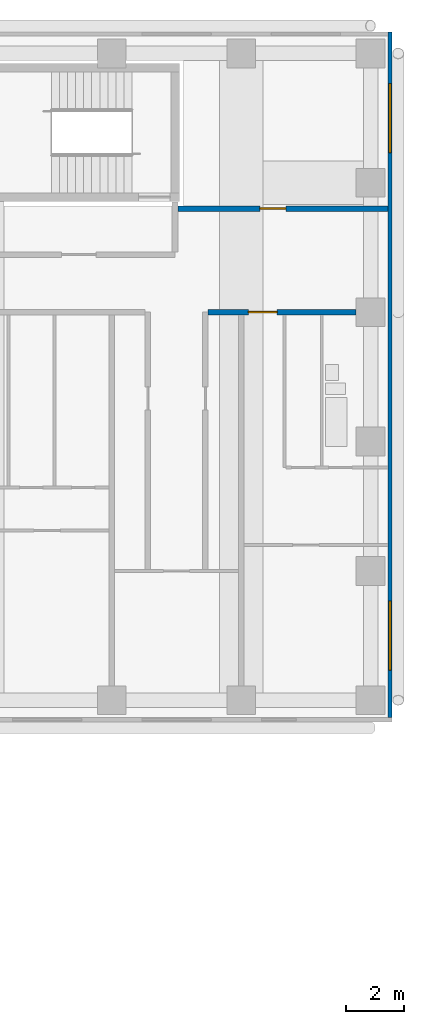
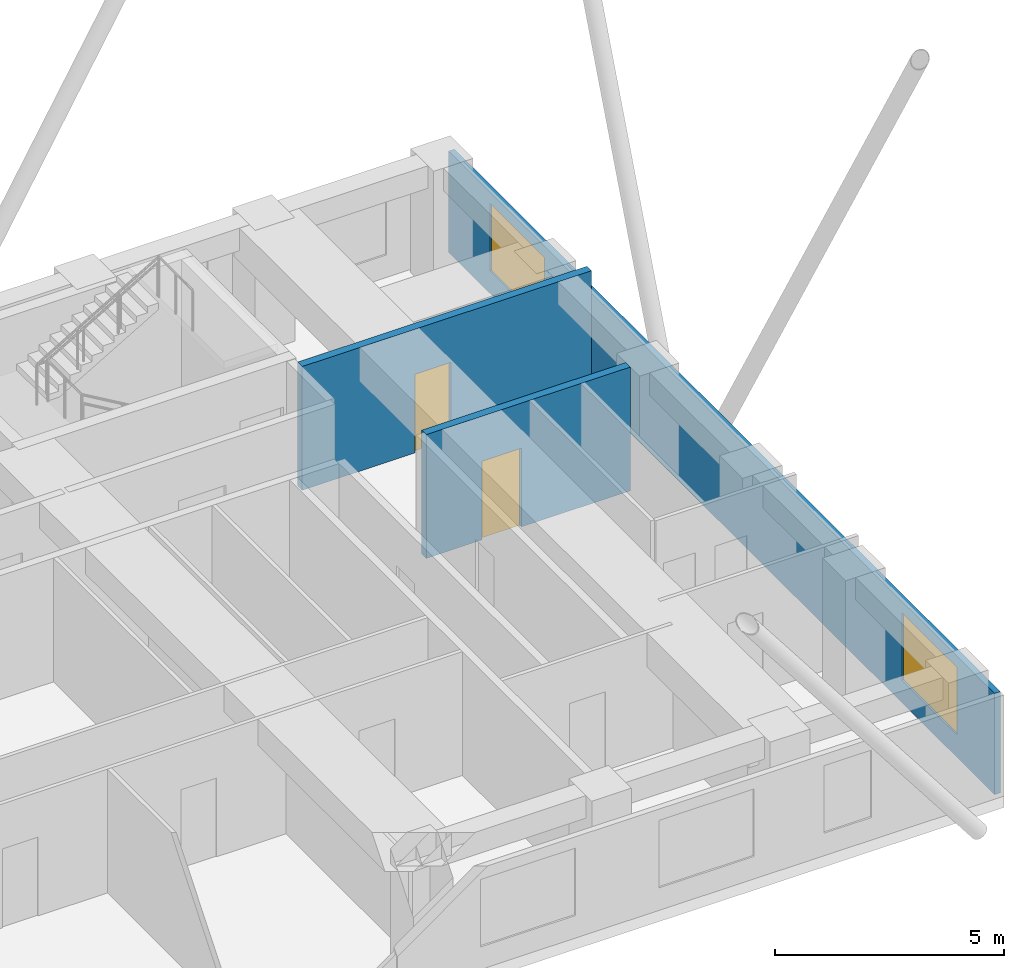
# One storey, part 10 of 13: 3 walls, 2 doors, 2 windows, 4 openings.
"""IFC4 building model written with IfcOpenShell, lengths in metres."""

from ifc_helpers import new_model, si_unit, direction, frame, frame_2d, origin, place, context, subcontext, project, spatial, rectangle, extrude, material, layer, layer_set, type_object, element, fill, save


model = new_model("IFC4")

# Units and contexts
model_context = context("Model", 3, precision=1e-05, world=origin(), true_north=direction((0.0, 1.0)))
body_context = subcontext(model_context, "Body", "Model", "MODEL_VIEW")
ifc_project = project(units=[si_unit("LENGTHUNIT", "METRE"), si_unit("AREAUNIT", "SQUARE_METRE"), si_unit("VOLUMEUNIT", "CUBIC_METRE"), si_unit("PLANEANGLEUNIT", "RADIAN"), si_unit("MASSUNIT", "GRAM", prefix="KILO")], contexts=[model_context])

# Site, building, storey
site_placement = place(None, origin())
site = spatial("IfcSite", under=ifc_project, at=site_placement, CompositionType="ELEMENT")
building_placement = place(site_placement, origin())
building = spatial("IfcBuilding", under=site, at=building_placement, Name="Firuza Court", CompositionType="ELEMENT")
storey_placement = place(building_placement, frame((0.0, 0.0, 162.800048828125)))
storey = spatial("IfcBuildingStorey", under=building, at=storey_placement, Name="L41", CompositionType="ELEMENT", Elevation=162.800048828125)

# Wall, opening, door
ifc_material_1 = material(Name="Blockwork, plastered both sides", Category="masonry")
ifc_layer_1 = layer(ifc_material_1, 0.199951171875)
ifc_layer_set_1 = layer_set([ifc_layer_1], Name="Blockwork, plastered both sides")
wall_type_1 = type_object("IfcWallType", Name="Corridor wall 200", PredefinedType="PARTITIONING", material=ifc_layer_set_1)
wall_1_placement = place(storey_placement, frame((61.85009765625, 49.5, 0.0), z_axis=(0.0, 0.0, 1.0), x_axis=(1.0, 0.0, 0.0)))
wall_1 = element("IfcWall", 1, at=wall_1_placement, inside=storey, type_object=wall_type_1, Name="Corridor wall 200 L41", PredefinedType="PARTITIONING", context=body_context, shape_type="SweptSolid", body=[
    extrude(rectangle(XDim=5.14990234375, YDim=0.199951171875, at=frame_2d((2.574951171875, 0.0))), origin(), (0.0, 0.0, 1.0), 3.300048828125),
])
opening_1_placement = place(wall_1_placement, frame((1.39990234375, 0.0, 0.0)))
opening_1 = element("IfcOpeningElement", 2, at=opening_1_placement, cuts=wall_1, Name="Opening D41069", PredefinedType="OPENING", context=body_context, shape_type="SweptSolid", body=[
    extrude(rectangle(XDim=1.0, YDim=2.10009765625, at=frame_2d((0.5, 1.050048828125))), frame((0.0, 0.11181640625, 0.0), z_axis=(0.0, -1.0, 0.0), x_axis=(1.0, 0.0, 0.0)), (0.0, 0.0, 1.0), 0.223876953125),
])
ifc_material_2 = material(Name="Timber door leaf in hardwood frame", Category="wood")
door_type_1 = type_object("IfcDoorType", Name="Flat entrance door 1000", OperationType="SINGLE_SWING_LEFT", PredefinedType="DOOR", material=ifc_material_2)
door_1_placement = place(opening_1_placement, origin())
door_1 = element("IfcDoor", 3, at=door_1_placement, inside=storey, type_object=door_type_1, Name="Flat entrance door", OperationType="SINGLE_SWING_RIGHT", OverallHeight=2.10009765625, OverallWidth=1.0, PredefinedType="DOOR", context=body_context, shape_type="SweptSolid", body=[
    extrude(rectangle(XDim=1.0, YDim=2.10009765625, at=frame_2d((0.5, 1.050048828125))), frame((0.0, 0.02490234375, 0.0), z_axis=(0.0, -1.0, 0.0), x_axis=(1.0, 0.0, 0.0)), (0.0, 0.0, 1.0), 0.050048828125),
])
fill(opening_1, door_1)

wall_2_placement = place(storey_placement, frame((60.800048828125, 53.10009765625, 0.0), z_axis=(0.0, 0.0, 1.0), x_axis=(1.0, 0.0, 0.0)))
wall_2 = element("IfcWall", 4, at=wall_2_placement, inside=storey, type_object=wall_type_1, Name="Corridor wall 200 L41", PredefinedType="PARTITIONING", context=body_context, shape_type="SweptSolid", body=[
    extrude(rectangle(XDim=7.300048828125, YDim=0.199951171875, at=frame_2d((3.64990234375, 0.0))), origin(), (0.0, 0.0, 1.0), 3.300048828125),
])
opening_2_placement = place(wall_2_placement, frame((2.85009765625, 0.0, 0.0)))
opening_2 = element("IfcOpeningElement", 5, at=opening_2_placement, cuts=wall_2, Name="Opening D41079", PredefinedType="OPENING", context=body_context, shape_type="SweptSolid", body=[
    extrude(rectangle(XDim=0.89990234375, YDim=2.10009765625, at=frame_2d((0.449951171875, 1.050048828125))), frame((0.0, 0.11181640625, 0.0), z_axis=(0.0, -1.0, 0.0), x_axis=(1.0, 0.0, 0.0)), (0.0, 0.0, 1.0), 0.223876953125),
])
ifc_material_3 = material(Name="Timber door leaf in hardwood frame", Category="wood")
door_type_2 = type_object("IfcDoorType", Name="Room door 900 EI 30", OperationType="SINGLE_SWING_LEFT", PredefinedType="DOOR", material=ifc_material_3)
door_2_placement = place(opening_2_placement, origin())
door_2 = element("IfcDoor", 6, at=door_2_placement, inside=storey, type_object=door_type_2, Name="Residents' workroom door", OperationType="SINGLE_SWING_LEFT", OverallHeight=2.10009765625, OverallWidth=0.89990234375, PredefinedType="DOOR", context=body_context, shape_type="SweptSolid", body=[
    extrude(rectangle(XDim=0.89990234375, YDim=2.10009765625, at=frame_2d((0.449951171875, 1.050048828125))), frame((0.0, 0.02490234375, 0.0), z_axis=(0.0, -1.0, 0.0), x_axis=(1.0, 0.0, 0.0)), (0.0, 0.0, 1.0), 0.050048828125),
])
fill(opening_2, door_2)

# Wall, openings, windows
ifc_material_4 = material(Name="Ceramic tile", Category="ceramic")
ifc_layer_2 = layer(ifc_material_4, 0.02001953125)
ifc_material_5 = material(Name="Mineral wool insulation", Category="insulation")
ifc_layer_3 = layer(ifc_material_5, 0.050048828125)
ifc_material_6 = material(Name="Concrete C40/50 precast", Category="concrete")
ifc_layer_4 = layer(ifc_material_6, 0.080078125)
ifc_layer_set_2 = layer_set([ifc_layer_2, ifc_layer_3, ifc_layer_4], Name="Concrete C40/50 precast")
wall_type_2 = type_object("IfcWallType", Name="Precast cladding wall with turquoise TILE PANEL face 150", PredefinedType="STANDARD", material=ifc_layer_set_2)
wall_3_placement = place(storey_placement, frame((68.175048828125, 35.39990234375, 0.0), z_axis=(0.0, 0.0, 1.0), x_axis=(0.0, 1.0, 0.0)))
wall_3 = element("IfcWall", 7, at=wall_3_placement, inside=storey, type_object=wall_type_2, Name="Facade wall L41 E", PredefinedType="STANDARD", context=body_context, shape_type="SweptSolid", body=[
    extrude(rectangle(XDim=23.85009765625, YDim=0.14990234375, at=frame_2d((11.925048828125, 0.0))), origin(), (0.0, 0.0, 1.0), 2.699951171875),
])
opening_3_placement = place(wall_3_placement, frame((1.64990234375, 0.0, 0.60009765625)))
opening_3 = element("IfcOpeningElement", 8, at=opening_3_placement, cuts=wall_3, Name="Opening W1", PredefinedType="OPENING", context=body_context, shape_type="SweptSolid", body=[
    extrude(rectangle(XDim=2.39990234375, YDim=1.800048828125, at=frame_2d((1.199951171875, 0.89990234375))), frame((0.0, 0.0869140625, 0.0), z_axis=(0.0, -1.0, 0.0), x_axis=(1.0, 0.0, 0.0)), (0.0, 0.0, 1.0), 0.173828125),
])
opening_4_placement = place(wall_3_placement, frame((19.64990234375, 0.0, 0.60009765625)))
opening_4 = element("IfcOpeningElement", 9, at=opening_4_placement, cuts=wall_3, Name="Opening W1", PredefinedType="OPENING", context=body_context, shape_type="SweptSolid", body=[
    extrude(rectangle(XDim=2.39990234375, YDim=1.800048828125, at=frame_2d((1.199951171875, 0.89990234375))), frame((0.0, 0.0869140625, 0.0), z_axis=(0.0, -1.0, 0.0), x_axis=(1.0, 0.0, 0.0)), (0.0, 0.0, 1.0), 0.173828125),
])
ifc_material_7 = material(Name="Aluminium frame, triple clear glazing", Category="aluminium")
window_type = type_object("IfcWindowType", Name="Window W1 2400 x 1800", PartitioningType="SINGLE_PANEL", PredefinedType="WINDOW", material=ifc_material_7)
window_1_placement = place(opening_3_placement, origin())
window_1 = element("IfcWindow", 10, at=window_1_placement, inside=storey, type_object=window_type, Name="Window L41", OverallHeight=1.800048828125, OverallWidth=2.39990234375, PartitioningType="SINGLE_PANEL", PredefinedType="WINDOW", context=body_context, shape_type="SweptSolid", body=[
    extrude(rectangle(XDim=2.39990234375, YDim=1.800048828125, at=frame_2d((1.199951171875, 0.89990234375))), frame((0.0, 0.030029296875, 0.0), z_axis=(0.0, -1.0, 0.0), x_axis=(1.0, 0.0, 0.0)), (0.0, 0.0, 1.0), 0.06005859375),
])
fill(opening_3, window_1)
window_2_placement = place(opening_4_placement, origin())
window_2 = element("IfcWindow", 11, at=window_2_placement, inside=storey, type_object=window_type, Name="Window L41", OverallHeight=1.800048828125, OverallWidth=2.39990234375, PartitioningType="SINGLE_PANEL", PredefinedType="WINDOW", context=body_context, shape_type="SweptSolid", body=[
    extrude(rectangle(XDim=2.39990234375, YDim=1.800048828125, at=frame_2d((1.199951171875, 0.89990234375))), frame((0.0, 0.030029296875, 0.0), z_axis=(0.0, -1.0, 0.0), x_axis=(1.0, 0.0, 0.0)), (0.0, 0.0, 1.0), 0.06005859375),
])
fill(opening_4, window_2)

save(model, "model.ifc")
